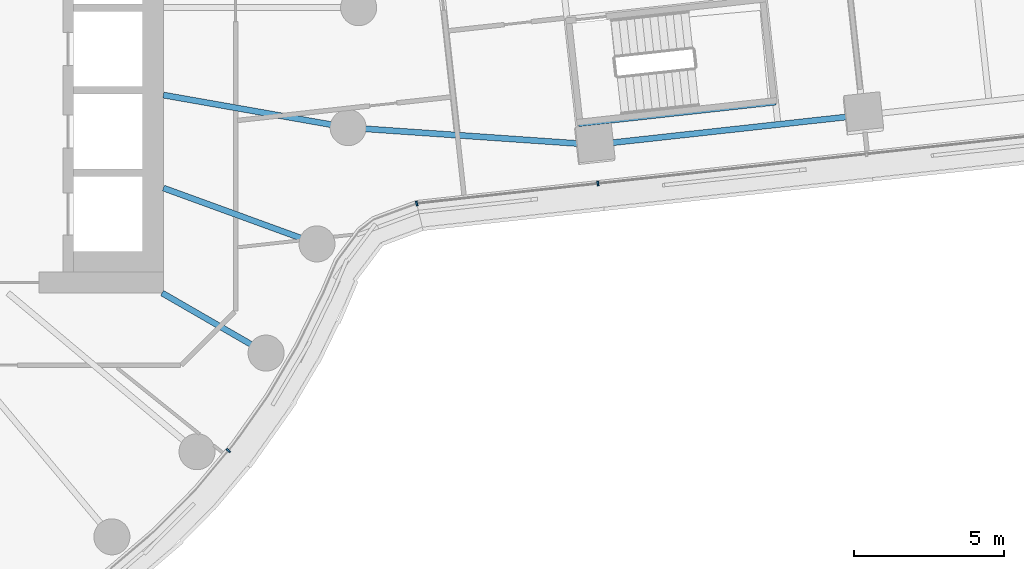
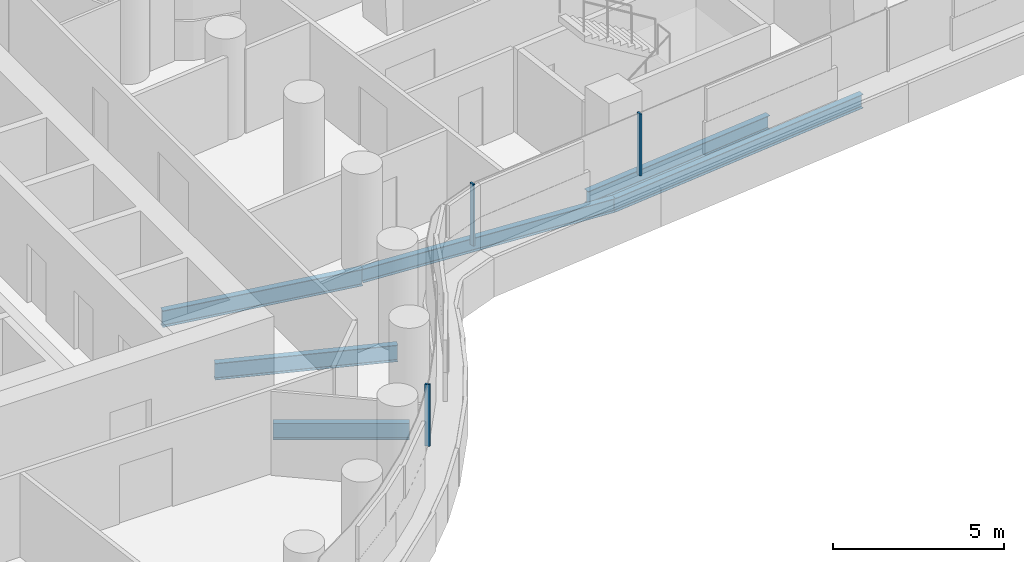
# One storey, part 9 of 31: 6 beams, 3 members, 2 elements without a shape of their own.
"""IFC4 building model written with IfcOpenShell, lengths in metres."""

from ifc_helpers import new_model, si_unit, direction, frame, origin, origin_2d, place, context, subcontext, project, spatial, rectangle, i_section, extrude, material, layer, layer_set, material_profile, profile_set, type_object, element, aggregate, save


model = new_model("IFC4")

# Units and contexts
model_context = context("Model", 3, precision=1e-05, world=origin(), true_north=direction((0.0, 1.0)))
body_context = subcontext(model_context, "Body", "Model", "MODEL_VIEW")
ifc_project = project(units=[si_unit("LENGTHUNIT", "METRE"), si_unit("AREAUNIT", "SQUARE_METRE"), si_unit("VOLUMEUNIT", "CUBIC_METRE"), si_unit("PLANEANGLEUNIT", "RADIAN"), si_unit("MASSUNIT", "GRAM", prefix="KILO")], contexts=[model_context])

# Site, building, storey
site_placement = place(None, origin())
site = spatial("IfcSite", under=ifc_project, at=site_placement, CompositionType="ELEMENT")
building_placement = place(site_placement, origin())
building = spatial("IfcBuilding", under=site, at=building_placement, Name="Tamarind Cross Interchange Tower", CompositionType="ELEMENT")
storey_placement = place(building_placement, frame((0.0, 0.0, 56.5)))
storey = spatial("IfcBuildingStorey", under=building, at=storey_placement, Name="L12", CompositionType="ELEMENT", Elevation=56.5)

# Beams
ifc_material_1 = material(Name="Steel Q355B", Category="steel")
ifc_material_profile_1 = material_profile(ifc_material_1, i_section(OverallWidth=0.198974609375, OverallDepth=0.49609375, WebThickness=0.009033203125, FlangeThickness=0.013916015625, FilletRadius=0.012939453125, at=origin_2d()), Name="HN 496x199x9x14")
ifc_profile_set_1 = profile_set([ifc_material_profile_1], Name="Steel Q355B")
beam_type_1 = type_object("IfcBeamType", Name="Composite beam HN 496x199x9x14 Q355B", PredefinedType="BEAM", material=ifc_profile_set_1)
beam_1_placement = place(storey_placement, frame((39.797119140625, -3.578125, -0.387939453125), z_axis=(-0.994021561308, -0.109183953287, 0.0), x_axis=(0.109183953287, -0.994021561308, 0.0)))
element("IfcBeam", 1, at=beam_1_placement, inside=storey, type_object=beam_type_1, Name="Beam E-edgeem6", PredefinedType="BEAM", context=body_context, shape_type="SweptSolid", body=[
    extrude(i_section(OverallWidth=0.198974609375, OverallDepth=0.49609375, WebThickness=0.009033203125, FlangeThickness=0.013916015625, FilletRadius=0.012939453125, at=origin_2d()), origin(), (0.0, 0.0, 1.0), 9.0),
])
beam_2_placement = place(storey_placement, frame((30.850830078125, -4.560791015625, -0.387939453125), z_axis=(-0.997618926195, 0.068967224801, 0.0), x_axis=(-0.068967224801, -0.997618926195, 0.0)))
element("IfcBeam", 2, at=beam_2_placement, inside=storey, type_object=beam_type_1, Name="Beam E-linkem", PredefinedType="BEAM", context=body_context, shape_type="SweptSolid", body=[
    extrude(i_section(OverallWidth=0.198974609375, OverallDepth=0.49609375, WebThickness=0.009033203125, FlangeThickness=0.013916015625, FilletRadius=0.012939453125, at=origin_2d()), origin(), (0.0, 0.0, 1.0), 8.2197265625),
])
beam_3_placement = place(storey_placement, frame((30.32177734375, -3.864501953125, -0.387939453125), z_axis=(0.994020105403, 0.109197207173, 0.0), x_axis=(-0.109197207173, 0.994020105403, 0.0)))
element("IfcBeam", 3, at=beam_3_placement, inside=storey, type_object=beam_type_1, Name="Beam E-tr0", PredefinedType="BEAM", context=body_context, shape_type="SweptSolid", body=[
    extrude(i_section(OverallWidth=0.198974609375, OverallDepth=0.49609375, WebThickness=0.009033203125, FlangeThickness=0.013916015625, FilletRadius=0.012939453125, at=origin_2d()), origin(), (0.0, 0.0, 1.0), 6.60009765625),
])
ifc_material_profile_2 = material_profile(ifc_material_1, i_section(OverallWidth=0.198974609375, OverallDepth=0.595947265625, WebThickness=0.010009765625, FlangeThickness=0.014892578125, FilletRadius=0.012939453125, at=origin_2d()), Name="HN 596x199x10x15")
ifc_profile_set_2 = profile_set([ifc_material_profile_2], Name="Steel Q355B")
beam_type_2 = type_object("IfcBeamType", Name="Composite beam HN 596x199x10x15 Q355B", PredefinedType="BEAM", material=ifc_profile_set_2)
beam_4_placement = place(storey_placement, frame((19.918701171875, -11.5, -0.43798828125), z_axis=(-0.866026010844, 0.49999894854, 0.0), x_axis=(-0.49999894854, -0.866026010844, 0.0)))
element("IfcBeam", 4, at=beam_4_placement, inside=storey, type_object=beam_type_2, Name="Beam HH33", PredefinedType="BEAM", context=body_context, shape_type="SweptSolid", body=[
    extrude(i_section(OverallWidth=0.198974609375, OverallDepth=0.595947265625, WebThickness=0.010009765625, FlangeThickness=0.014892578125, FilletRadius=0.012939453125, at=origin_2d()), origin(), (0.0, 0.0, 1.0), 4.0),
])
beam_5_placement = place(storey_placement, frame((21.613037109375, -7.866455078125, -0.43798828125), z_axis=(-0.939701685589, 0.341995236956, 0.0), x_axis=(-0.341995236956, -0.939701685589, 0.0)))
element("IfcBeam", 5, at=beam_5_placement, inside=storey, type_object=beam_type_2, Name="Beam HH34", PredefinedType="BEAM", context=body_context, shape_type="SweptSolid", body=[
    extrude(i_section(OverallWidth=0.198974609375, OverallDepth=0.595947265625, WebThickness=0.010009765625, FlangeThickness=0.014892578125, FilletRadius=0.012939453125, at=origin_2d()), origin(), (0.0, 0.0, 1.0), 5.441162109375),
])
beam_6_placement = place(storey_placement, frame((22.650634765625, -3.993896484375, -0.43798828125), z_axis=(-0.984809127561, 0.173640382036, 0.0), x_axis=(-0.173640382036, -0.984809127561, 0.0)))
element("IfcBeam", 6, at=beam_6_placement, inside=storey, type_object=beam_type_2, Name="Beam HH35", PredefinedType="BEAM", context=body_context, shape_type="SweptSolid", body=[
    extrude(i_section(OverallWidth=0.198974609375, OverallDepth=0.595947265625, WebThickness=0.010009765625, FlangeThickness=0.014892578125, FilletRadius=0.012939453125, at=origin_2d()), origin(), (0.0, 0.0, 1.0), 6.24560546875),
])

# Curtain wall, member
ifc_material_2 = material(Name="Aluminium 6063-T6", Category="aluminium")
ifc_layer = layer(ifc_material_2, 0.159912109375)
ifc_layer_set = layer_set([ifc_layer], Name="Aluminium 6063-T6")
curtain_wall_type = type_object("IfcCurtainWallType", Name="Office curtain wall, 9.0 m bays", PredefinedType="NOTDEFINED", material=ifc_layer_set)
curtain_wall_1_placement = place(storey_placement, origin())
curtain_wall_1 = element("IfcCurtainWall", 7, at=curtain_wall_1_placement, inside=storey, type_object=curtain_wall_type, Name="CWS-L12-14", PredefinedType="NOTDEFINED")
ifc_material_profile_3 = material_profile(ifc_material_2, rectangle(XDim=0.06005859375, YDim=0.159912109375, at=origin_2d()), Name="Mullion CW1")
ifc_profile_set_3 = profile_set([ifc_material_profile_3], Name="Aluminium 6063-T6")
member_type = type_object("IfcMemberType", Name="Mullion CW1", PredefinedType="MULLION", material=ifc_profile_set_3)
member_1_placement = place(storey_placement, frame((18.66357421875, -14.745849609375, 1.39990234375), z_axis=(0.0, 0.0, 1.0), x_axis=(0.643009266048, 0.765858396687, 0.0)))
member_1 = element("IfcMember", 8, at=member_1_placement, type_object=member_type, Name="CWM-L12-14-02", PredefinedType="MULLION", context=body_context, shape_type="SweptSolid", body=[
    extrude(rectangle(XDim=0.06005859375, YDim=0.159912109375, at=origin_2d()), origin(), (0.0, 0.0, 1.0), 2.210205078125),
])
aggregate(curtain_wall_1, [member_1])

# Curtain wall, members
curtain_wall_2_placement = place(storey_placement, origin())
curtain_wall_2 = element("IfcCurtainWall", 9, at=curtain_wall_2_placement, inside=storey, type_object=curtain_wall_type, Name="CWS-L12-15", PredefinedType="NOTDEFINED")
member_2_placement = place(storey_placement, frame((24.9326171875, -6.518798828125, 1.39990234375), z_axis=(0.0, 0.0, 1.0), x_axis=(0.972951316751, 0.231010249193, 0.0)))
member_2 = element("IfcMember", 10, at=member_2_placement, type_object=member_type, Name="CWM-L12-15-00", PredefinedType="MULLION", context=body_context, shape_type="SweptSolid", body=[
    extrude(rectangle(XDim=0.06005859375, YDim=0.159912109375, at=origin_2d()), origin(), (0.0, 0.0, 1.0), 2.210205078125),
])
member_3_placement = place(storey_placement, frame((30.9677734375, -5.855712890625, 1.39990234375), z_axis=(0.0, 0.0, 1.0), x_axis=(0.994020563105, 0.109193040639, 0.0)))
member_3 = element("IfcMember", 11, at=member_3_placement, type_object=member_type, Name="CWM-L12-15-01", PredefinedType="MULLION", context=body_context, shape_type="SweptSolid", body=[
    extrude(rectangle(XDim=0.06005859375, YDim=0.159912109375, at=origin_2d()), origin(), (0.0, 0.0, 1.0), 2.210205078125),
])
aggregate(curtain_wall_2, [member_2, member_3])

save(model, "model.ifc")
